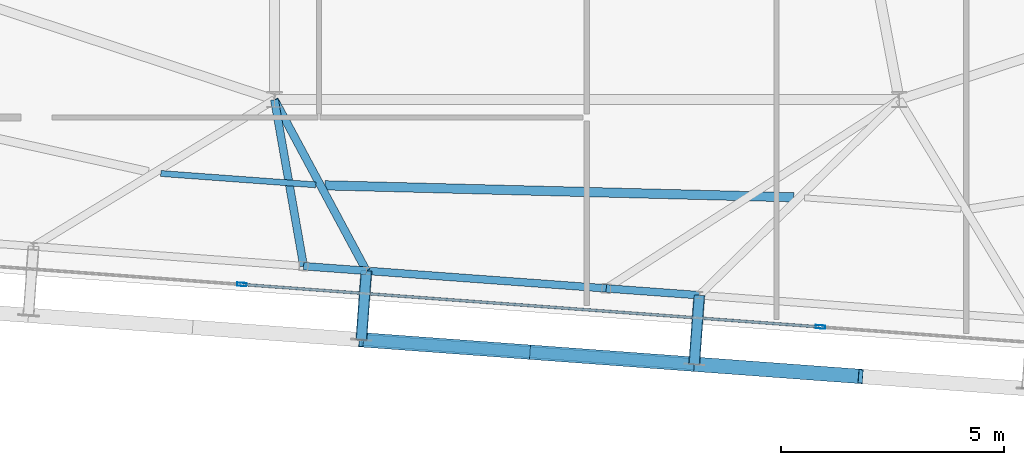
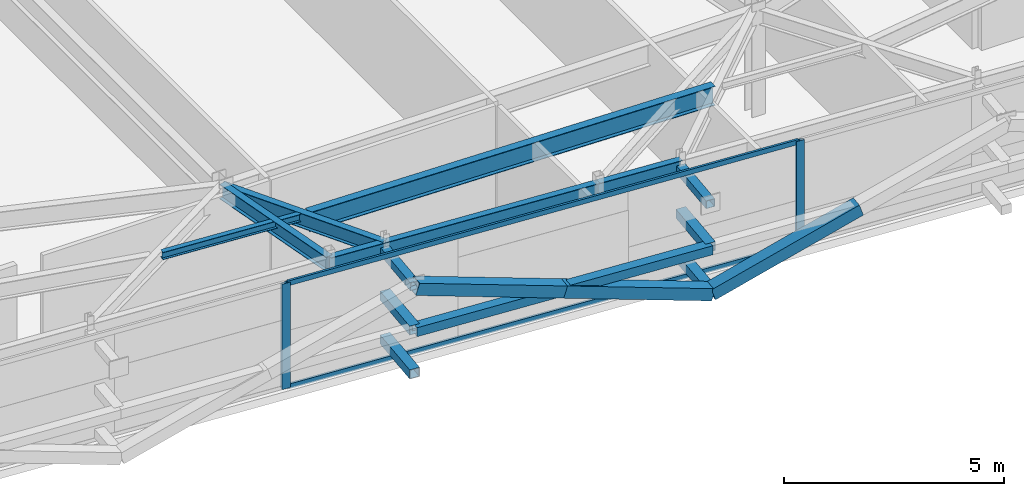
# One storey, part 11 of 34: 14 members, 7 beams, 1 element without a shape of its own.
"""IFC4 building model written with IfcOpenShell, lengths in metres."""

from ifc_helpers import new_model, si_unit, direction, frame, origin, origin_2d, place, context, subcontext, project, spatial, hollow_rectangle, i_section, extrude, source, transform, mapped, material, layer, layer_set, material_profile, profile_set, type_object, element, aggregate, save


model = new_model("IFC4")

# Units and contexts
model_context = context("Model", 3, precision=1e-05, world=origin(), true_north=direction((0.0, 1.0)))
body_context = subcontext(model_context, "Body", "Model", "MODEL_VIEW")
ifc_project = project(units=[si_unit("LENGTHUNIT", "METRE"), si_unit("AREAUNIT", "SQUARE_METRE"), si_unit("VOLUMEUNIT", "CUBIC_METRE"), si_unit("PLANEANGLEUNIT", "RADIAN"), si_unit("MASSUNIT", "GRAM", prefix="KILO")], contexts=[model_context])

# Site, building, storey
site_placement = place(None, origin())
site = spatial("IfcSite", under=ifc_project, at=site_placement, CompositionType="ELEMENT")
building_placement = place(site_placement, origin())
building = spatial("IfcBuilding", under=site, at=building_placement, Name="Taldren Reach Tower", CompositionType="ELEMENT")
storey_placement = place(building_placement, frame((0.0, 0.0, 239.75)))
storey = spatial("IfcBuildingStorey", under=building, at=storey_placement, Name="L73", CompositionType="ELEMENT", Elevation=239.75)

# Members
ifc_material_1 = material(Name="Steel Gr 350 (C350L0)", Category="steel")
ifc_material_profile_1 = material_profile(ifc_material_1, hollow_rectangle(XDim=0.25, YDim=0.25, WallThickness=0.010009765625, at=origin_2d()), Name="250x250x10.0SHS")
ifc_profile_set_1 = profile_set([ifc_material_profile_1], Name="Steel Gr 350 (C350L0)")
member_type_1 = type_object("IfcMemberType", Name="MB-POST250", PredefinedType="POST", material=ifc_profile_set_1)
shared_shape_1 = source(origin(), body_context, "Body", "SweptSolid", [
    extrude(hollow_rectangle(XDim=0.25, YDim=0.25, WallThickness=0.010009765625, at=origin_2d()), origin(), (0.0, 0.0, 1.0), 1.5498046875),
])
for number, where, z_axis, x_axis, name in (
    (1, (30.060546875, 5.364501953125, 0.219970703125), (-0.073250797913, -0.997313551801, 0.0), (0.997313551801, -0.073250797913, 0.0), "Exoskeleton base diaphragm tie strut B5-S3 L73"),
    (2, (30.060546875, 5.364501953125, 1.43505859375), (-0.073250797913, -0.997313551801, 0.0), (0.997313551801, -0.073250797913, 0.0), "Exoskeleton mid-tier diaphragm tie B5-S3 L73"),
):
    element("IfcMember", number, at=place(storey_placement, frame(where, z_axis=z_axis, x_axis=x_axis)), inside=storey, type_object=member_type_1, Name=name, PredefinedType="POST", context=body_context, shape_type="MappedRepresentation", body=[
        mapped(shared_shape_1, transform((0.0, 0.0, 0.0), scale=1.0)),
    ])
shared_shape_2 = source(origin(), body_context, "Body", "SweptSolid", [
    extrude(hollow_rectangle(XDim=0.25, YDim=0.25, WallThickness=0.010009765625, at=origin_2d()), origin(), (0.0, 0.0, 1.0), 1.550048828125),
])
for number, where, z_axis, x_axis, name in (
    (3, (37.5205078125, 4.81689453125, 0.219970703125), (-0.07323929162, -0.997314396849, 0.0), (0.997314396849, -0.07323929162, 0.0), "Exoskeleton base diaphragm tie strut B5-S4 L73"),
    (4, (37.5205078125, 4.81689453125, 1.43505859375), (-0.07323929162, -0.997314396849, 0.0), (0.997314396849, -0.07323929162, 0.0), "Exoskeleton mid-tier diaphragm tie B5-S4 L73"),
):
    element("IfcMember", number, at=place(storey_placement, frame(where, z_axis=z_axis, x_axis=x_axis)), inside=storey, type_object=member_type_1, Name=name, PredefinedType="POST", context=body_context, shape_type="MappedRepresentation", body=[
        mapped(shared_shape_2, transform((0.0, 0.0, 0.0), scale=1.0)),
    ])
ifc_material_2 = material(Name="Steel Gr 450 (C450L0)", Category="steel")
ifc_material_profile_2 = material_profile(ifc_material_2, hollow_rectangle(XDim=0.219970703125, YDim=0.219970703125, WallThickness=0.00830078125, at=origin_2d()), Name="220x220x8.2SHS")
ifc_profile_set_2 = profile_set([ifc_material_profile_2], Name="Steel Gr 450 (C450L0)")
member_type_2 = type_object("IfcMemberType", Name="MB-TIE219", PredefinedType="STRUT", material=ifc_profile_set_2)
shared_shape_3 = source(origin(), body_context, "Body", "SweptSolid", [
    extrude(hollow_rectangle(XDim=0.219970703125, YDim=0.219970703125, WallThickness=0.00830078125, at=origin_2d()), origin(), (0.0, 0.0, 1.0), 1.5498046875),
])
member_1_placement = place(storey_placement, frame((30.060546875, 5.364501953125, 2.64990234375), z_axis=(-0.073250797913, -0.997313551801, 0.0), x_axis=(0.997313551801, -0.073250797913, 0.0)))
element("IfcMember", 5, at=member_1_placement, inside=storey, type_object=member_type_2, Name="Exoskeleton diaphragm tie strut B5-S3 L73", PredefinedType="STRUT", context=body_context, shape_type="MappedRepresentation", body=[
    mapped(shared_shape_3, transform((0.0, 0.0, 0.0), scale=1.0)),
])
shared_shape_4 = source(origin(), body_context, "Body", "SweptSolid", [
    extrude(hollow_rectangle(XDim=0.219970703125, YDim=0.219970703125, WallThickness=0.00830078125, at=origin_2d()), origin(), (0.0, 0.0, 1.0), 1.550048828125),
])
member_2_placement = place(storey_placement, frame((37.5205078125, 4.81689453125, 2.64990234375), z_axis=(-0.07323929162, -0.997314396849, 0.0), x_axis=(0.997314396849, -0.07323929162, 0.0)))
element("IfcMember", 6, at=member_2_placement, inside=storey, type_object=member_type_2, Name="Exoskeleton diaphragm tie strut B5-S4 L73", PredefinedType="STRUT", context=body_context, shape_type="MappedRepresentation", body=[
    mapped(shared_shape_4, transform((0.0, 0.0, 0.0), scale=1.0)),
])

# Beams
ifc_material_3 = material(Name="Steel Gr 350 (350PLUS)", Category="steel")
ifc_material_profile_3 = material_profile(ifc_material_3, i_section(OverallWidth=0.172119140625, OverallDepth=0.35888671875, WebThickness=0.008056640625, FlangeThickness=0.012939453125, at=origin_2d()), Name="360UB56.7")
ifc_profile_set_3 = profile_set([ifc_material_profile_3], Name="Steel Gr 350 (350PLUS)")
beam_type_1 = type_object("IfcBeamType", Name="SP-UB360", PredefinedType="SPANDREL", material=ifc_profile_set_3)
shared_shape_5 = source(origin(), body_context, "Body", "SweptSolid", [
    extrude(i_section(OverallWidth=0.172119140625, OverallDepth=0.35888671875, WebThickness=0.008056640625, FlangeThickness=0.012939453125, at=origin_2d()), origin(), (0.0, 0.0, 1.0), 1.41015625),
])
beam_1_placement = place(storey_placement, frame((28.654296875, 5.4677734375, 2.75048828125), z_axis=(0.997314324946, -0.073240270738, 0.0), x_axis=(0.073240270738, 0.997314324946, 0.0)))
element("IfcBeam", 7, at=beam_1_placement, inside=storey, type_object=beam_type_1, Name="Perimeter spandrel B5 PJ1-S3 L73", PredefinedType="SPANDREL", context=body_context, shape_type="MappedRepresentation", body=[
    mapped(shared_shape_5, transform((0.0, 0.0, 0.0), scale=1.0)),
])
shared_shape_6 = source(origin(), body_context, "Body", "SweptSolid", [
    extrude(i_section(OverallWidth=0.172119140625, OverallDepth=0.35888671875, WebThickness=0.008056640625, FlangeThickness=0.012939453125, at=origin_2d()), origin(), (0.0, 0.0, 1.0), 5.389892578125),
])
beam_2_placement = place(storey_placement, frame((30.060546875, 5.364501953125, 2.75048828125), z_axis=(0.997314149177, -0.073242664148, 0.0), x_axis=(0.073242664148, 0.997314149177, 0.0)))
element("IfcBeam", 8, at=beam_2_placement, inside=storey, type_object=beam_type_1, Name="Perimeter spandrel B5 S3-PJ2 L73", PredefinedType="SPANDREL", context=body_context, shape_type="MappedRepresentation", body=[
    mapped(shared_shape_6, transform((0.0, 0.0, 0.0), scale=1.0)),
])
shared_shape_7 = source(origin(), body_context, "Body", "SweptSolid", [
    extrude(i_section(OverallWidth=0.172119140625, OverallDepth=0.35888671875, WebThickness=0.008056640625, FlangeThickness=0.012939453125, at=origin_2d()), origin(), (0.0, 0.0, 1.0), 2.090087890625),
])
beam_3_placement = place(storey_placement, frame((35.43603515625, 4.9697265625, 2.75048828125), z_axis=(0.997322930253, -0.073122997697, 0.0), x_axis=(0.073122997697, 0.997322930253, 0.0)))
element("IfcBeam", 9, at=beam_3_placement, inside=storey, type_object=beam_type_1, Name="Perimeter spandrel B5 PJ2-S4 L73", PredefinedType="SPANDREL", context=body_context, shape_type="MappedRepresentation", body=[
    mapped(shared_shape_7, transform((0.0, 0.0, 0.0), scale=1.0)),
])
ifc_material_profile_4 = material_profile(ifc_material_3, i_section(OverallWidth=0.177978515625, OverallDepth=0.406005859375, WebThickness=0.0078125, FlangeThickness=0.0126953125, at=origin_2d()), Name="410UB59.7")
ifc_profile_set_4 = profile_set([ifc_material_profile_4], Name="Steel Gr 350 (350PLUS)")
beam_type_2 = type_object("IfcBeamType", Name="BM-UB410", PredefinedType="BEAM", material=ifc_profile_set_4)
shared_shape_8 = source(origin(), body_context, "Body", "SweptSolid", [
    extrude(i_section(OverallWidth=0.177978515625, OverallDepth=0.406005859375, WebThickness=0.0078125, FlangeThickness=0.0126953125, at=origin_2d()), origin(), (0.0, 0.0, 1.0), 3.7890625),
])
beam_4_placement = place(storey_placement, frame((28.0, 9.199951171875, 2.72705078125), z_axis=(0.172678846321, -0.984978180486, 0.0), x_axis=(0.984978180486, 0.172678846321, 0.0)))
element("IfcBeam", 10, at=beam_4_placement, inside=storey, type_object=beam_type_2, Name="Primary floor girder B5-PJ1 L73", PredefinedType="BEAM", context=body_context, shape_type="MappedRepresentation", body=[
    mapped(shared_shape_8, transform((0.0, 0.0, 0.0), scale=1.0)),
])
shared_shape_9 = source(origin(), body_context, "Body", "SweptSolid", [
    extrude(i_section(OverallWidth=0.177978515625, OverallDepth=0.406005859375, WebThickness=0.0078125, FlangeThickness=0.0126953125, at=origin_2d()), origin(), (0.0, 0.0, 1.0), 4.35400390625),
])
beam_5_placement = place(storey_placement, frame((28.0, 9.199951171875, 2.72705078125), z_axis=(0.473263645364, -0.88092083752, 0.0), x_axis=(0.88092083752, 0.473263645364, 0.0)))
element("IfcBeam", 11, at=beam_5_placement, inside=storey, type_object=beam_type_2, Name="Primary floor girder B5-S3 L73", PredefinedType="BEAM", context=body_context, shape_type="MappedRepresentation", body=[
    mapped(shared_shape_9, transform((0.0, 0.0, 0.0), scale=1.0)),
])
ifc_material_4 = material(Name="Steel Gr 300 (300PLUS, 300 MPa)", Category="steel")
ifc_material_profile_5 = material_profile(ifc_material_4, i_section(OverallWidth=0.134033203125, OverallDepth=0.20703125, WebThickness=0.00634765625, FlangeThickness=0.009521484375, at=origin_2d()), Name="200UB29.8")
ifc_profile_set_5 = profile_set([ifc_material_profile_5], Name="Steel Gr 300 (300PLUS, 300 MPa)")
beam_type_3 = type_object("IfcBeamType", Name="JS-UB200", PredefinedType="JOIST", material=ifc_profile_set_5)
shared_shape_10 = source(origin(), body_context, "Body", "SweptSolid", [
    extrude(i_section(OverallWidth=0.134033203125, OverallDepth=0.20703125, WebThickness=0.00634765625, FlangeThickness=0.009521484375, at=origin_2d()), origin(), (0.0, 0.0, 1.0), 3.481201171875),
])
beam_6_placement = place(storey_placement, frame((25.453125, 7.544921875, 2.826416015625), z_axis=(0.997316141537, -0.073215529974, 0.0), x_axis=(0.073215529974, 0.997316141537, 0.0)))
element("IfcBeam", 12, at=beam_6_placement, inside=storey, type_object=beam_type_3, Name="Secondary floor joist B5 J2 L73", PredefinedType="JOIST", context=body_context, shape_type="MappedRepresentation", body=[
    mapped(shared_shape_10, transform((0.0, 0.0, 0.0), scale=1.0)),
])
ifc_material_profile_6 = material_profile(ifc_material_3, i_section(OverallWidth=0.208984375, OverallDepth=0.532958984375, WebThickness=0.01025390625, FlangeThickness=0.015625, at=origin_2d()), Name="530UB92.4")
ifc_profile_set_6 = profile_set([ifc_material_profile_6], Name="Steel Gr 350 (350PLUS)")
beam_type_4 = type_object("IfcBeamType", Name="BM-UB530A", PredefinedType="BEAM", material=ifc_profile_set_6)
shared_shape_11 = source(origin(), body_context, "Body", "SweptSolid", [
    extrude(i_section(OverallWidth=0.208984375, OverallDepth=0.532958984375, WebThickness=0.01025390625, FlangeThickness=0.015625, at=origin_2d()), origin(), (0.0, 0.0, 1.0), 10.507080078125),
])
beam_7_placement = place(storey_placement, frame((29.132568359375, 7.27978515625, 2.66357421875), z_axis=(0.999673899449, -0.025536146143, 0.0), x_axis=(0.025536146143, 0.999673899449, 0.0)))
element("IfcBeam", 13, at=beam_7_placement, inside=storey, type_object=beam_type_4, Name="Secondary floor beam B5 J3 L73", PredefinedType="BEAM", context=body_context, shape_type="MappedRepresentation", body=[
    mapped(shared_shape_11, transform((0.0, 0.0, 0.0), scale=1.0)),
])

# Members
ifc_material_profile_7 = material_profile(ifc_material_2, hollow_rectangle(XDim=0.324951171875, YDim=0.324951171875, WallThickness=0.0126953125, at=origin_2d()), Name="325x325x12.7SHS")
ifc_profile_set_7 = profile_set([ifc_material_profile_7], Name="Steel Gr 450 (C450L0)")
member_type_3 = type_object("IfcMemberType", Name="MB-BR324", PredefinedType="BRACE", material=ifc_profile_set_7)
shared_shape_12 = source(origin(), body_context, "Body", "SweptSolid", [
    extrude(hollow_rectangle(XDim=0.324951171875, YDim=0.324951171875, WallThickness=0.0126953125, at=origin_2d()), origin(), (0.0, 0.0, 1.0), 3.932373046875),
])
for number, where, z_axis, x_axis, name in (
    (14, (37.406982421875, 3.27099609375, 0.219970703125), (-0.948511132845, 0.069657644394, 0.308989390507), (-0.07324169103, -0.997314220642, 0.0), "Exoskeleton Diagrid Brace B5-S3 L73"),
    (15, (33.677001953125, 3.544921875, 1.43505859375), (-0.948529326954, 0.06965898055, 0.308933232813), (-0.07324169103, -0.997314220642, 0.0), "Exoskeleton Diagrid Brace B5-S3 L73"),
):
    element("IfcMember", number, at=place(storey_placement, frame(where, z_axis=z_axis, x_axis=x_axis)), inside=storey, type_object=member_type_3, Name=name, PredefinedType="BRACE", context=body_context, shape_type="MappedRepresentation", body=[
        mapped(shared_shape_12, transform((0.0, 0.0, 0.0), scale=1.0)),
    ])
shared_shape_13 = source(origin(), body_context, "Body", "SweptSolid", [
    extrude(hollow_rectangle(XDim=0.25, YDim=0.25, WallThickness=0.010009765625, at=origin_2d()), origin(), (0.0, 0.0, 1.0), 7.47998046875),
])
member_3_placement = place(storey_placement, frame((29.947021484375, 3.81884765625, 1.43505859375), z_axis=(0.997314220642, -0.07324169103, 0.0), x_axis=(0.07324169103, 0.997314220642, 0.0)))
element("IfcMember", 16, at=member_3_placement, inside=storey, type_object=member_type_1, Name="Exoskeleton mid-height ring chord B5-S3 L73", PredefinedType="POST", context=body_context, shape_type="MappedRepresentation", body=[
    mapped(shared_shape_13, transform((0.0, 0.0, 0.0), scale=1.0)),
])
shared_shape_14 = source(origin(), body_context, "Body", "SweptSolid", [
    extrude(hollow_rectangle(XDim=0.324951171875, YDim=0.324951171875, WallThickness=0.0126953125, at=origin_2d()), origin(), (0.0, 0.0, 1.0), 3.93212890625),
])
member_4_placement = place(storey_placement, frame((37.406982421875, 3.27099609375, 0.219970703125), z_axis=(0.94850490367, -0.069661746542, 0.309007586933), x_axis=(0.073246459555, 0.997313870435, 0.0)))
element("IfcMember", 17, at=member_4_placement, inside=storey, type_object=member_type_3, Name="Exoskeleton Diagrid Brace B5-S4 L73", PredefinedType="BRACE", context=body_context, shape_type="MappedRepresentation", body=[
    mapped(shared_shape_14, transform((0.0, 0.0, 0.0), scale=1.0)),
])

# Curtain wall, members
ifc_material_5 = material(Name="Aluminium and Low-E Glass Unitised System", Category="aluminium")
ifc_layer = layer(ifc_material_5, 0.159912109375)
ifc_layer_set = layer_set([ifc_layer], Name="Aluminium and Low-E Glass Unitised System")
curtain_wall_type = type_object("IfcCurtainWallType", Name="CW-SYS-6", PredefinedType="NOTDEFINED", material=ifc_layer_set)
curtain_wall_placement = place(storey_placement, origin())
curtain_wall = element("IfcCurtainWall", 18, at=curtain_wall_placement, inside=storey, type_object=curtain_wall_type, Name="Unitised curtain wall CW-L73-S", PredefinedType="NOTDEFINED")
ifc_material_6 = material(Name="Anodised Aluminium 6063-T6", Category="aluminium")
ifc_material_profile_8 = material_profile(ifc_material_6, hollow_rectangle(XDim=0.06005859375, YDim=0.135009765625, WallThickness=0.00341796875, at=origin_2d()), Name="ALU-135x60x3.5RHS")
ifc_profile_set_8 = profile_set([ifc_material_profile_8], Name="Anodised Aluminium 6063-T6")
member_type_4 = type_object("IfcMemberType", Name="CW-TRN-150", PredefinedType="USERDEFINED", material=ifc_profile_set_8)
shared_shape_15 = source(origin(), body_context, "Body", "SweptSolid", [
    extrude(hollow_rectangle(XDim=0.06005859375, YDim=0.135009765625, WallThickness=0.00341796875, at=origin_2d()), origin(), (0.0, 0.0, 1.0), 12.925048828125),
])
member_5_placement = place(storey_placement, frame((27.307861328125, 5.055419921875, 0.030029296875), z_axis=(0.99731353371, -0.073251044219, 0.0), x_axis=(0.073251044219, 0.99731353371, 0.0)))
member_5 = element("IfcMember", 19, at=member_5_placement, type_object=member_type_4, Name="CW-6 transom 2.1", ObjectType="TRANSOM", PredefinedType="USERDEFINED", context=body_context, shape_type="MappedRepresentation", body=[
    mapped(shared_shape_15, transform((0.0, 0.0, 0.0), scale=1.0)),
])
member_6_placement = place(storey_placement, frame((27.307861328125, 5.055419921875, 2.89990234375), z_axis=(0.99731353371, -0.073251044219, 0.0), x_axis=(0.073251044219, 0.99731353371, 0.0)))
member_6 = element("IfcMember", 20, at=member_6_placement, type_object=member_type_4, Name="CW-6 transom 2.2", ObjectType="TRANSOM", PredefinedType="USERDEFINED", context=body_context, shape_type="MappedRepresentation", body=[
    mapped(shared_shape_15, transform((0.0, 0.0, 0.0), scale=1.0)),
])
ifc_material_profile_9 = material_profile(ifc_material_6, hollow_rectangle(XDim=0.074951171875, YDim=0.2099609375, WallThickness=0.00439453125, at=origin_2d()), Name="ALU-210x75x4.5RHS")
ifc_profile_set_9 = profile_set([ifc_material_profile_9], Name="Anodised Aluminium 6063-T6")
member_type_5 = type_object("IfcMemberType", Name="CW-MUL-200", PredefinedType="MULLION", material=ifc_profile_set_9)
shared_shape_16 = source(origin(), body_context, "Body", "SweptSolid", [
    extrude(hollow_rectangle(XDim=0.074951171875, YDim=0.2099609375, WallThickness=0.00439453125, at=origin_2d()), origin(), (0.0, 0.0, 1.0), 2.929931640625),
])
member_7_placement = place(storey_placement, frame((27.2705078125, 5.05810546875, 0.0), z_axis=(0.0, 0.0, 1.0), x_axis=(0.073238213716, 0.997314476006, 0.0)))
member_7 = element("IfcMember", 21, at=member_7_placement, type_object=member_type_5, Name="CW-6 mullion 2", PredefinedType="MULLION", context=body_context, shape_type="MappedRepresentation", body=[
    mapped(shared_shape_16, transform((0.0, 0.0, 0.0), scale=1.0)),
])
member_8_placement = place(storey_placement, frame((40.235595703125, 4.10595703125, 0.0), z_axis=(0.0, 0.0, 1.0), x_axis=(0.073238213716, 0.997314476006, 0.0)))
member_8 = element("IfcMember", 22, at=member_8_placement, type_object=member_type_5, Name="CW-6 mullion 3", PredefinedType="MULLION", context=body_context, shape_type="MappedRepresentation", body=[
    mapped(shared_shape_16, transform((0.0, 0.0, 0.0), scale=1.0)),
])
aggregate(curtain_wall, [member_7, member_8, member_5, member_6])

save(model, "model.ifc")
